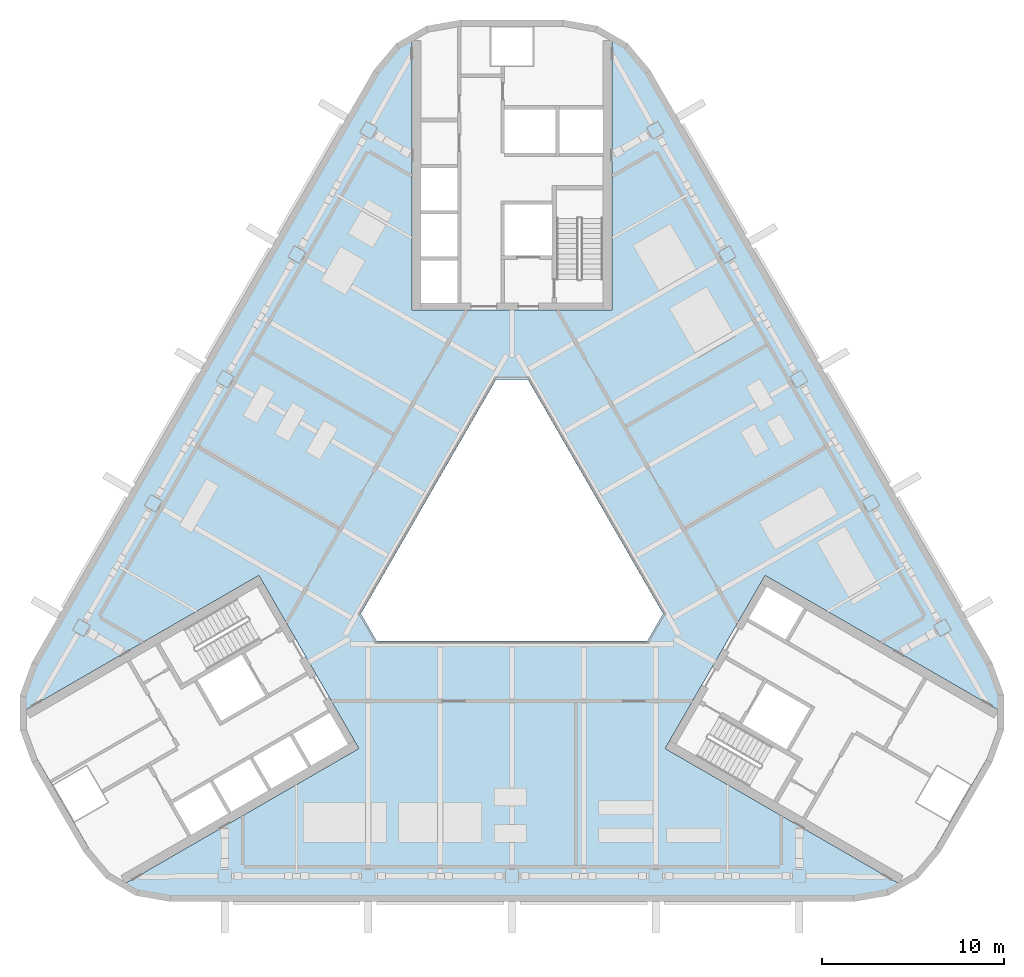
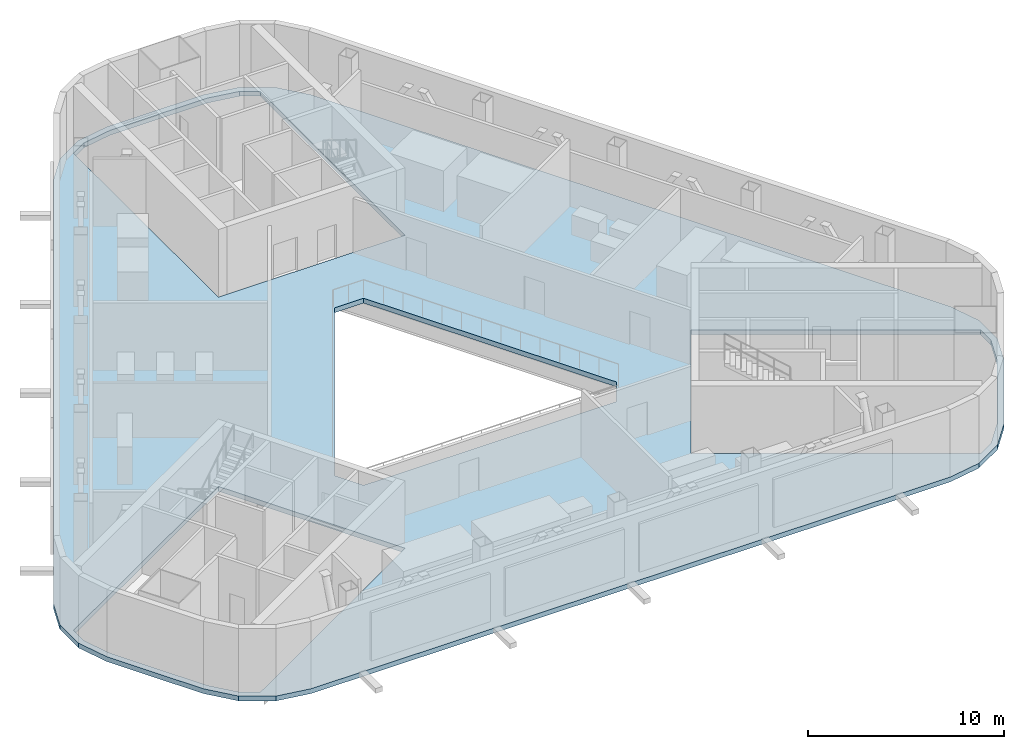
# One storey, part 5 of 15: 1 slab.
"""IFC4 building model written with IfcOpenShell, lengths in metres."""

from ifc_helpers import new_model, si_unit, direction, frame, origin, place, context, subcontext, project, spatial, polyline, outline, extrude, material, layer, layer_set, type_object, element, save


model = new_model("IFC4")

# Units and contexts
model_context = context("Model", 3, precision=1e-05, world=origin(), true_north=direction((0.0, 1.0)))
body_context = subcontext(model_context, "Body", "Model", "MODEL_VIEW")
ifc_project = project(units=[si_unit("LENGTHUNIT", "METRE"), si_unit("AREAUNIT", "SQUARE_METRE"), si_unit("VOLUMEUNIT", "CUBIC_METRE"), si_unit("PLANEANGLEUNIT", "RADIAN"), si_unit("MASSUNIT", "GRAM", prefix="KILO")], contexts=[model_context])

# Site, building, storey
site_placement = place(None, origin())
site = spatial("IfcSite", under=ifc_project, at=site_placement, CompositionType="ELEMENT")
building_placement = place(site_placement, origin())
building = spatial("IfcBuilding", under=site, at=building_placement, Name="Apuvela Tower Hotel", CompositionType="ELEMENT")
storey_placement = place(building_placement, frame((0.0, 0.0, 237.699951171875)))
storey = spatial("IfcBuildingStorey", under=building, at=storey_placement, Name="L58 Plant", CompositionType="ELEMENT", Elevation=237.699951171875)

# Slab
ifc_material = material(Name="Concrete C35/45", Category="concrete")
ifc_layer = layer(ifc_material, 0.300048828125)
ifc_layer_set = layer_set([ifc_layer], Name="STR-SLAB 300 floor Concrete C35/45")
slab_type = type_object("IfcSlabType", Name="STR-SLAB 300 floor Concrete C35/45", PredefinedType="FLOOR", material=ifc_layer_set)
slab_placement = place(storey_placement, frame((0.0, 0.0, -0.300048828125)))
element("IfcSlab", 1, at=slab_placement, inside=storey, type_object=slab_type, Name="Floor slab S2 L58 Plant", PredefinedType="FLOOR", context=body_context, shape_type="SweptSolid", body=[
    extrude(outline(polyline([(7.59228515625, 26.110107421875), (6.3642578125, 27.5732421875), (4.710205078125, 28.5283203125), (2.8291015625, 28.860107421875), (-2.8291015625, 28.860107421875), (-4.710205078125, 28.5283203125), (-6.3642578125, 27.5732421875), (-7.59228515625, 26.110107421875), (-26.407958984375, -6.47998046875), (-27.061279296875, -8.27490234375), (-27.061279296875, -10.18505859375), (-26.407958984375, -11.97998046875), (-23.5791015625, -16.8798828125), (-22.351318359375, -18.34326171875), (-20.697021484375, -19.29833984375), (-18.81591796875, -19.6298828125), (18.81591796875, -19.6298828125), (20.697021484375, -19.29833984375), (22.351318359375, -18.34326171875), (23.5791015625, -16.8798828125), (26.407958984375, -11.97998046875), (27.061279296875, -10.18505859375), (27.061279296875, -8.27490234375), (26.407958984375, -6.47998046875), (7.59228515625, 26.110107421875)]), holes=[polyline([(0.865966796875, 9.10009765625), (-0.865966796875, 9.10009765625), (-8.313720703125, -3.800048828125), (-7.44775390625, -5.300048828125), (7.44775390625, -5.300048828125), (8.313720703125, -3.800048828125), (0.865966796875, 9.10009765625)]), polyline([(-5.5, 12.89990234375), (-5.5, 27.668212890625), (-4.588623046875, 28.1943359375), (-2.85498046875, 28.5), (2.85498046875, 28.5), (4.588623046875, 28.1943359375), (5.5, 27.668212890625), (5.5, 12.89990234375), (-5.5, 12.89990234375)]), polyline([(-8.421630859375, -11.213134765625), (-21.211181640625, -18.59716796875), (-22.122802734375, -18.071044921875), (-23.254150390625, -16.72265625), (-26.109375, -11.77734375), (-26.711181640625, -10.123291015625), (-26.711181640625, -9.07080078125), (-13.921630859375, -1.68701171875), (-8.421630859375, -11.213134765625)]), polyline([(13.921630859375, -1.68701171875), (26.711181640625, -9.07080078125), (26.711181640625, -10.123291015625), (26.109375, -11.77734375), (23.254150390625, -16.72265625), (22.122802734375, -18.071044921875), (21.211181640625, -18.59716796875), (8.421630859375, -11.213134765625), (13.921630859375, -1.68701171875)])]), origin(), (0.0, 0.0, 1.0), 0.300048828125),
])

save(model, "model.ifc")
